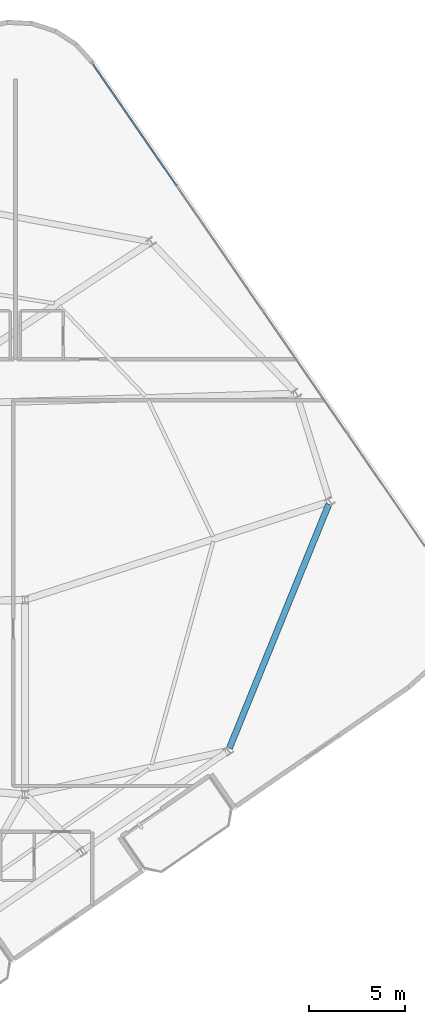
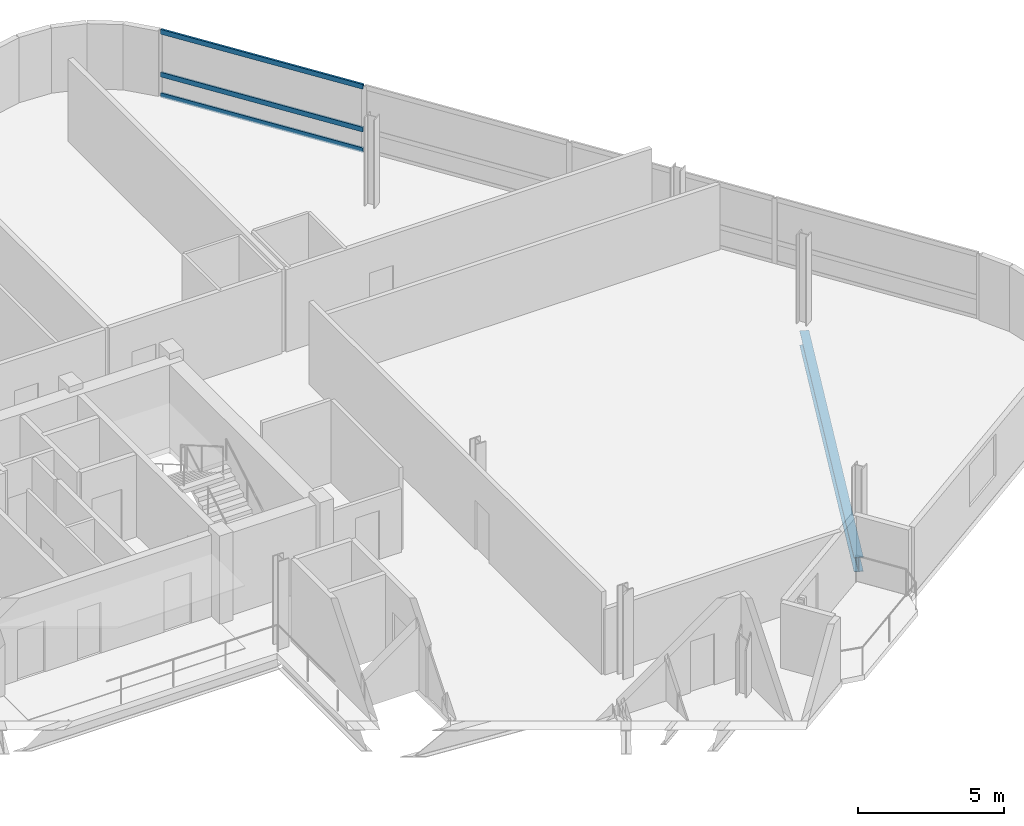
# One storey, part 10 of 22: 3 members, 1 beam, 1 element without a shape of its own.
"""IFC4 building model written with IfcOpenShell, lengths in metres."""

from ifc_helpers import new_model, si_unit, direction, frame, origin, origin_2d, place, context, subcontext, project, spatial, hollow_rectangle, i_section, extrude, material, layer, layer_set, material_profile, profile_set, type_object, element, aggregate, save


model = new_model("IFC4")

# Units and contexts
model_context = context("Model", 3, precision=1e-05, world=origin(), true_north=direction((0.0, 1.0)))
body_context = subcontext(model_context, "Body", "Model", "MODEL_VIEW")
ifc_project = project(units=[si_unit("LENGTHUNIT", "METRE"), si_unit("AREAUNIT", "SQUARE_METRE"), si_unit("VOLUMEUNIT", "CUBIC_METRE"), si_unit("PLANEANGLEUNIT", "RADIAN"), si_unit("MASSUNIT", "GRAM", prefix="KILO")], contexts=[model_context])

# Site, building, storey
site_placement = place(None, origin())
site = spatial("IfcSite", under=ifc_project, at=site_placement, CompositionType="ELEMENT")
building_placement = place(site_placement, origin())
building = spatial("IfcBuilding", under=site, at=building_placement, Name="Varnelok Gate Tower", CompositionType="ELEMENT")
storey_placement = place(building_placement, frame((0.0, 0.0, 280.39990234375)))
storey = spatial("IfcBuildingStorey", under=building, at=storey_placement, Name="L72", CompositionType="ELEMENT", Elevation=280.39990234375)

# Beam
ifc_material_1 = material(Name="Structural Steel ASTM A992 Grade 50", Category="steel")
ifc_material_profile_1 = material_profile(ifc_material_1, i_section(OverallWidth=0.323974609375, OverallDepth=0.611083984375, WebThickness=0.0126953125, FlangeThickness=0.01904296875, FilletRadius=0.01806640625, at=origin_2d()), Name="W24X104")
ifc_profile_set_1 = profile_set([ifc_material_profile_1], Name="Structural Steel ASTM A992 Grade 50")
beam_type = type_object("IfcBeamType", Name="BM-SPN-W24X104", PredefinedType="SPANDREL", material=ifc_profile_set_1)
beam_placement = place(storey_placement, frame((64.634765625, 21.20849609375, -0.555419921875), z_axis=(0.377167779659, 0.926144948692, 0.0), x_axis=(-0.926144948692, 0.377167779659, 0.0)))
element("IfcBeam", 1, at=beam_placement, inside=storey, type_object=beam_type, Name="L72 Perimeter Spandrel Beam 5", PredefinedType="SPANDREL", context=body_context, shape_type="SweptSolid", body=[
    extrude(i_section(OverallWidth=0.323974609375, OverallDepth=0.611083984375, WebThickness=0.0126953125, FlangeThickness=0.01904296875, FilletRadius=0.01806640625, at=origin_2d()), origin(), (0.0, 0.0, 1.0), 13.695556640625),
])

# Curtain wall, members
ifc_material_2 = material(Name="Anodized Aluminum Alloy 6063-T6", Category="aluminium")
ifc_layer = layer(ifc_material_2, 0.179931640625)
ifc_layer_set = layer_set([ifc_layer], Name="Anodized Aluminum Alloy 6063-T6")
curtain_wall_type = type_object("IfcCurtainWallType", Name="CW4-RESIDENCE-VISION", PredefinedType="USERDEFINED", material=ifc_layer_set)
curtain_wall_placement = place(storey_placement, origin())
curtain_wall = element("IfcCurtainWall", 2, at=curtain_wall_placement, inside=storey, type_object=curtain_wall_type, Name="L72 East End Vision Curtain Wall", ObjectType="UNITISED CURTAIN WALL", PredefinedType="USERDEFINED")
ifc_material_profile_2 = material_profile(ifc_material_2, hollow_rectangle(XDim=0.074951171875, YDim=0.199951171875, WallThickness=0.00390625, at=origin_2d()), Name="ALU200X75X4")
ifc_profile_set_2 = profile_set([ifc_material_profile_2], Name="Anodized Aluminum Alloy 6063-T6")
member_type = type_object("IfcMemberType", Name="CW-TRAN-200", PredefinedType="USERDEFINED", material=ifc_profile_set_2)
member_1_placement = place(storey_placement, frame((57.536865234375, 56.782470703125, 0.03759765625), z_axis=(0.567271254331, -0.823531009744, 0.0), x_axis=(0.823531009744, 0.567271254331, 0.0)))
member_1 = element("IfcMember", 3, at=member_1_placement, type_object=member_type, Name="CW4 transom 1.1", ObjectType="TRANSOM", PredefinedType="USERDEFINED", context=body_context, shape_type="SweptSolid", body=[
    extrude(hollow_rectangle(XDim=0.074951171875, YDim=0.199951171875, WallThickness=0.00390625, at=origin_2d()), origin(), (0.0, 0.0, 1.0), 7.6875),
])
member_2_placement = place(storey_placement, frame((57.536865234375, 56.782470703125, 0.900146484375), z_axis=(0.567271254331, -0.823531009744, 0.0), x_axis=(0.823531009744, 0.567271254331, 0.0)))
member_2 = element("IfcMember", 4, at=member_2_placement, type_object=member_type, Name="CW4 transom 1.2", ObjectType="TRANSOM", PredefinedType="USERDEFINED", context=body_context, shape_type="SweptSolid", body=[
    extrude(hollow_rectangle(XDim=0.074951171875, YDim=0.199951171875, WallThickness=0.00390625, at=origin_2d()), origin(), (0.0, 0.0, 1.0), 7.6875),
])
member_3_placement = place(storey_placement, frame((57.536865234375, 56.782470703125, 2.692626953125), z_axis=(0.567271254331, -0.823531009744, 0.0), x_axis=(0.823531009744, 0.567271254331, 0.0)))
member_3 = element("IfcMember", 5, at=member_3_placement, type_object=member_type, Name="CW4 transom 1.3", ObjectType="TRANSOM", PredefinedType="USERDEFINED", context=body_context, shape_type="SweptSolid", body=[
    extrude(hollow_rectangle(XDim=0.074951171875, YDim=0.199951171875, WallThickness=0.00390625, at=origin_2d()), origin(), (0.0, 0.0, 1.0), 7.6875),
])
aggregate(curtain_wall, [member_1, member_2, member_3])

save(model, "model.ifc")
